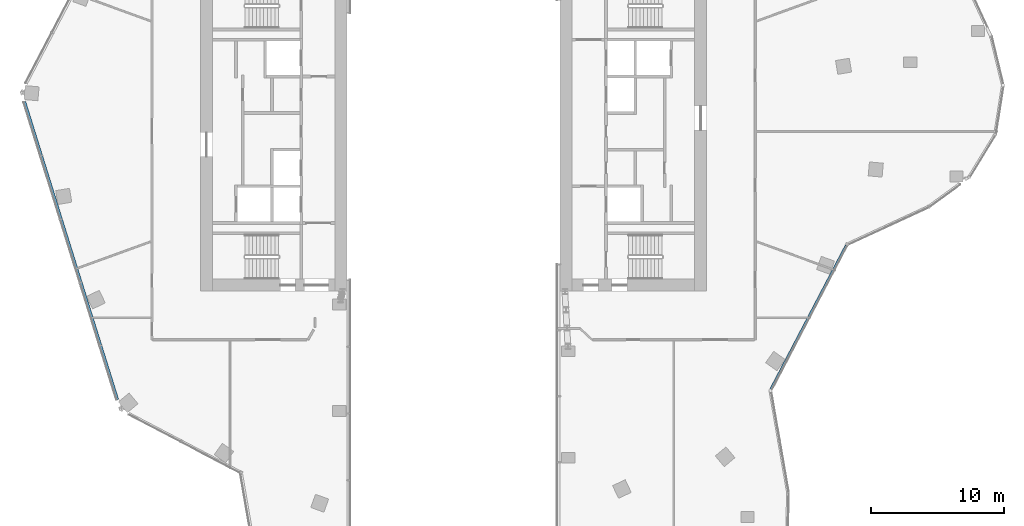
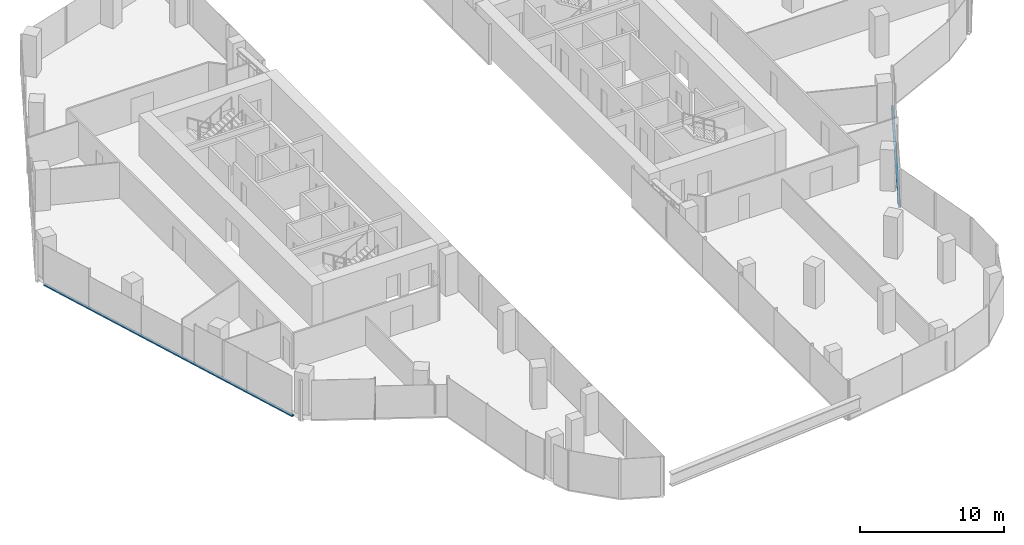
# One storey, part 5 of 24: 2 members, 2 elements without a shape of their own.
"""IFC4 building model written with IfcOpenShell, lengths in metres."""

from ifc_helpers import new_model, si_unit, direction, frame, origin, origin_2d, place, context, subcontext, project, spatial, rectangle, extrude, material, material_profile, profile_set, type_object, element, aggregate, save


model = new_model("IFC4")

# Units and contexts
model_context = context("Model", 3, precision=1e-05, world=origin(), true_north=direction((0.0, 1.0)))
body_context = subcontext(model_context, "Body", "Model", "MODEL_VIEW")
ifc_project = project(units=[si_unit("LENGTHUNIT", "METRE"), si_unit("AREAUNIT", "SQUARE_METRE"), si_unit("VOLUMEUNIT", "CUBIC_METRE"), si_unit("PLANEANGLEUNIT", "RADIAN"), si_unit("MASSUNIT", "GRAM", prefix="KILO")], contexts=[model_context])

# Site, building, storey
site_placement = place(None, origin())
site = spatial("IfcSite", under=ifc_project, at=site_placement, CompositionType="ELEMENT")
building_placement = place(site_placement, origin())
building = spatial("IfcBuilding", under=site, at=building_placement, Name="Orlundy Tower", CompositionType="ELEMENT")
storey_placement = place(building_placement, frame((0.0, 0.0, 267.5)))
storey = spatial("IfcBuildingStorey", under=building, at=storey_placement, Name="L71", CompositionType="ELEMENT", Elevation=267.5)

# Curtain wall, member
ifc_material_1 = material(Name="Aluminium bronze anodised", Category="aluminium")
curtain_wall_type = type_object("IfcCurtainWallType", Name="CW1 wall", PredefinedType="NOTDEFINED", material=ifc_material_1)
curtain_wall_1_placement = place(storey_placement, origin())
curtain_wall_1 = element("IfcCurtainWall", 1, at=curtain_wall_1_placement, inside=storey, type_object=curtain_wall_type, Name="CW1 run 01", PredefinedType="NOTDEFINED")
ifc_material_2 = material(Name="Aluminium bronze anodised", Category="aluminium")
ifc_material_profile = material_profile(ifc_material_2, rectangle(XDim=0.179931640625, YDim=0.1201171875, at=origin_2d()), Name="CW1 transom 180x120")
ifc_profile_set = profile_set([ifc_material_profile], Name="Aluminium bronze anodised")
member_type = type_object("IfcMemberType", Name="CW1 transom 180x120", PredefinedType="USERDEFINED", material=ifc_profile_set)
member_1_placement = place(storey_placement, frame((-25.2275390625, -20.16455078125, -0.340087890625), z_axis=(-0.297957453874, 0.954579151082, 0.0), x_axis=(-0.954579151082, -0.297957453874, 0.0)))
member_1 = element("IfcMember", 2, at=member_1_placement, type_object=member_type, Name="CW1 transom", ObjectType="TRANSOM", PredefinedType="USERDEFINED", context=body_context, shape_type="SweptSolid", body=[
    extrude(rectangle(XDim=0.179931640625, YDim=0.1201171875, at=origin_2d()), origin(), (0.0, 0.0, 1.0), 23.46630859375),
])
aggregate(curtain_wall_1, [member_1])

curtain_wall_2_placement = place(storey_placement, origin())
curtain_wall_2 = element("IfcCurtainWall", 3, at=curtain_wall_2_placement, inside=storey, type_object=curtain_wall_type, Name="CW1 run 111", PredefinedType="NOTDEFINED")
member_2_placement = place(storey_placement, frame((29.49267578125, -8.548583984375, -0.340087890625), z_axis=(-0.464325680741, -0.885664531414, 0.0), x_axis=(0.885664531414, -0.464325680741, 0.0)))
member_2 = element("IfcMember", 4, at=member_2_placement, type_object=member_type, Name="CW1 transom", ObjectType="TRANSOM", PredefinedType="USERDEFINED", context=body_context, shape_type="SweptSolid", body=[
    extrude(rectangle(XDim=0.179931640625, YDim=0.1201171875, at=origin_2d()), origin(), (0.0, 0.0, 1.0), 12.22216796875),
])
aggregate(curtain_wall_2, [member_2])

save(model, "model.ifc")
